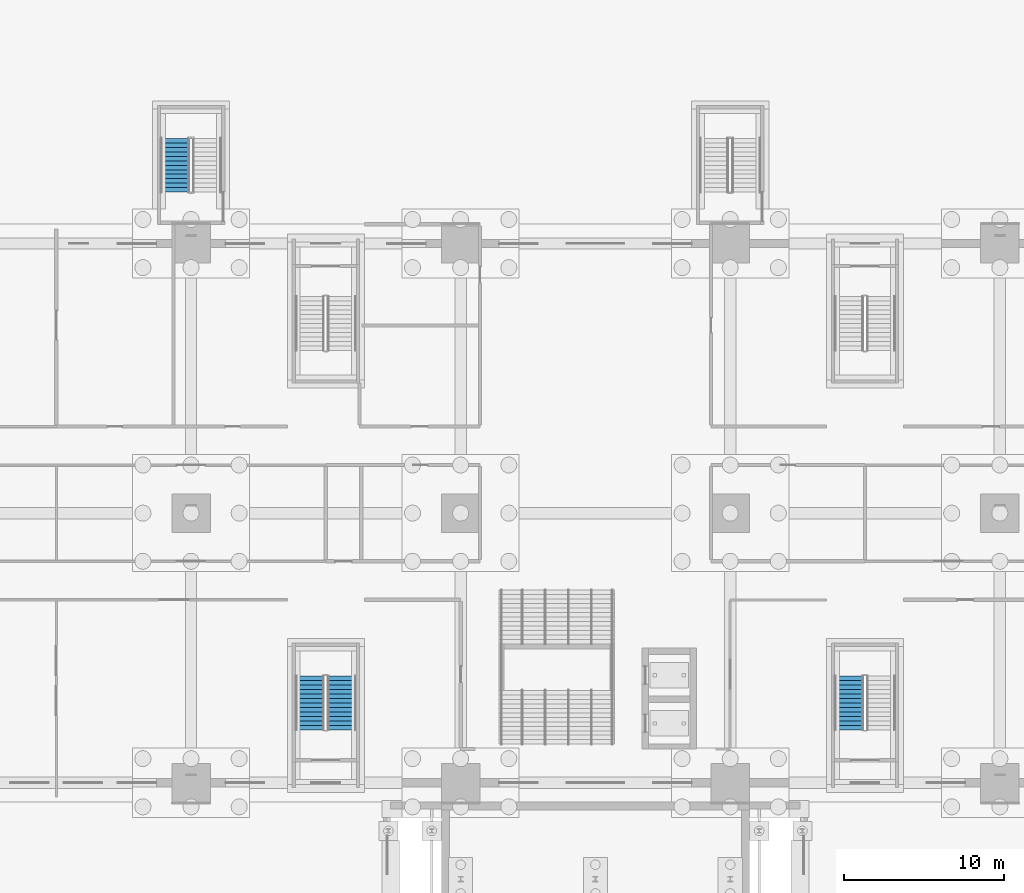
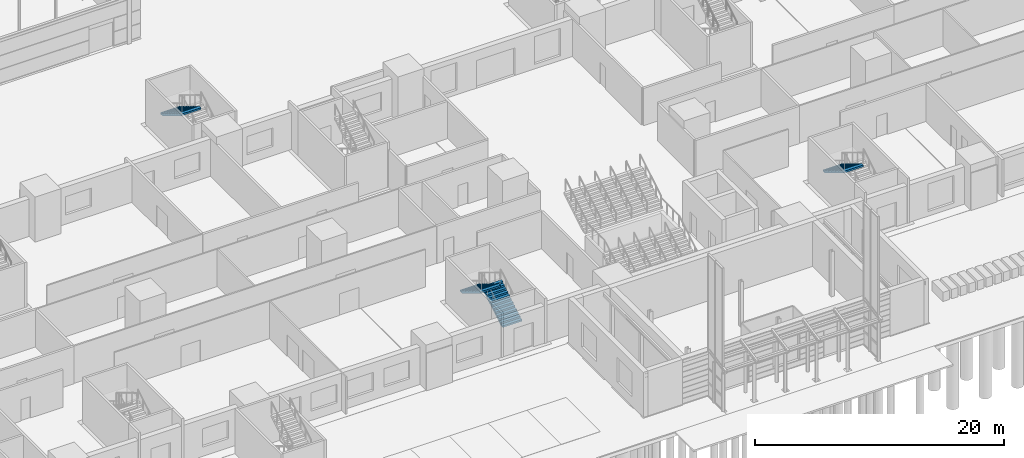
# One storey, part 108 of 139: 4 stair flights, 3 elements without a shape of their own.
"""IFC4 building model written with IfcOpenShell, lengths in metres."""

from ifc_helpers import new_model, si_unit, direction, frame, origin, place, context, subcontext, project, spatial, polygons, material, type_object, element, aggregate, save


model = new_model("IFC4")

# Units and contexts
model_context = context("Model", 3, precision=1e-05, world=origin(), true_north=direction((0.0, 1.0)))
body_context = subcontext(model_context, "Body", "Model", "MODEL_VIEW")
ifc_project = project(units=[si_unit("LENGTHUNIT", "METRE"), si_unit("AREAUNIT", "SQUARE_METRE"), si_unit("VOLUMEUNIT", "CUBIC_METRE"), si_unit("PLANEANGLEUNIT", "RADIAN"), si_unit("MASSUNIT", "GRAM", prefix="KILO")], contexts=[model_context])

# Site, building, storey
site_placement = place(None, origin())
site = spatial("IfcSite", under=ifc_project, at=site_placement, CompositionType="ELEMENT")
building_placement = place(site_placement, origin())
building = spatial("IfcBuilding", under=site, at=building_placement, Name="Verrick Yard Athletic Hall", CompositionType="ELEMENT")
storey_placement = place(building_placement, origin())
storey = spatial("IfcBuildingStorey", under=building, at=storey_placement, Name="L00", CompositionType="ELEMENT", Elevation=0.0)

# Stair, stair flight
ifc_material = material(Name="Concrete 35 MPa", Category="concrete")
stair_type = type_object("IfcStairType", Name="Stair ST3 1800 wide 26 risers", PredefinedType="HALF_TURN_STAIR", material=ifc_material)
stair_1_placement = place(storey_placement, origin())
stair_1 = element("IfcStair", 1, at=stair_1_placement, inside=storey, type_object=stair_type, Name="North deck escape 3 stair L00", PredefinedType="HALF_TURN_STAIR")
stair_flight_type = type_object("IfcStairFlightType", Name="Stair flight SF3 1800 wide 13 risers", PredefinedType="STRAIGHT", material=ifc_material)
stair_flight_1_placement = place(storey_placement, frame((72.60009765625, 59.360107421875, 2.199951171875), z_axis=(0.0, 0.0, 1.0), x_axis=(0.0, -1.0, 0.0)))
stair_flight_1 = element("IfcStairFlight", 2, at=stair_flight_1_placement, type_object=stair_flight_type, Name="ST3 flight 2", NumberOfRisers=13, NumberOfTreads=12, PredefinedType="STRAIGHT", RiserHeight=0.169230769, TreadLength=0.28, context=body_context, shape_type="Tessellation", body=[
    polygons([(0.28980123017674275, -0.89990234375, 0.0), (3.3600000000000003, -0.89990234375, 1.855614638571585), (3.3600000000000003, -0.89990234375, 2.030769228), (3.08, -0.89990234375, 2.030769228), (3.08, -0.89990234375, 1.8615384590000001), (2.8000000000000003, -0.89990234375, 1.8615384590000001), (2.8000000000000003, -0.89990234375, 1.69230769), (2.5200000000000005, -0.89990234375, 1.69230769), (2.5200000000000005, -0.89990234375, 1.523076921), (2.24, -0.89990234375, 1.523076921), (2.24, -0.89990234375, 1.353846152), (1.9600000000000002, -0.89990234375, 1.353846152), (1.9600000000000002, -0.89990234375, 1.1846153830000001), (1.6800000000000002, -0.89990234375, 1.1846153830000001), (1.6800000000000002, -0.89990234375, 1.015384614), (1.4000000000000001, -0.89990234375, 1.015384614), (1.4000000000000001, -0.89990234375, 0.846153845), (1.12, -0.89990234375, 0.846153845), (1.12, -0.89990234375, 0.676923076), (0.8400000000000001, -0.89990234375, 0.676923076), (0.8400000000000001, -0.89990234375, 0.507692307), (0.56, -0.89990234375, 0.507692307), (0.56, -0.89990234375, 0.338461538), (0.28, -0.89990234375, 0.338461538), (0.28, -0.89990234375, 0.169230769), (0.0, -0.89990234375, 0.169230769), (0.0, -0.89990234375, 0.0), (0.28980123017674275, -0.179931640625, 0.0), (3.3600000000000003, -0.179931640625, 1.855614638571585), (3.3600000000000003, -0.179931640625, 2.030769228), (3.08, -0.179931640625, 2.030769228), (3.08, -0.179931640625, 1.8615384590000001), (2.8000000000000003, -0.179931640625, 1.8615384590000001), (2.8000000000000003, -0.179931640625, 1.69230769), (2.5200000000000005, -0.179931640625, 1.69230769), (2.5200000000000005, -0.179931640625, 1.523076921), (2.24, -0.179931640625, 1.523076921), (2.24, -0.179931640625, 1.353846152), (1.9600000000000002, -0.179931640625, 1.353846152), (1.9600000000000002, -0.179931640625, 1.1846153830000001), (1.6800000000000002, -0.179931640625, 1.1846153830000001), (1.6800000000000002, -0.179931640625, 1.015384614), (1.4000000000000001, -0.179931640625, 1.015384614), (1.4000000000000001, -0.179931640625, 0.846153845), (1.12, -0.179931640625, 0.846153845), (1.12, -0.179931640625, 0.676923076), (0.8400000000000001, -0.179931640625, 0.676923076), (0.8400000000000001, -0.179931640625, 0.507692307), (0.56, -0.179931640625, 0.507692307), (0.56, -0.179931640625, 0.338461538), (0.28, -0.179931640625, 0.338461538), (0.28, -0.179931640625, 0.169230769), (0.0, -0.179931640625, 0.169230769), (0.0, -0.179931640625, 0.0), (0.28980123017674275, 0.179931640625, 0.0), (3.3600000000000003, 0.179931640625, 1.855614638571585), (3.3600000000000003, 0.179931640625, 2.030769228), (3.08, 0.179931640625, 2.030769228), (3.08, 0.179931640625, 1.8615384590000001), (2.8000000000000003, 0.179931640625, 1.8615384590000001), (2.8000000000000003, 0.179931640625, 1.69230769), (2.5200000000000005, 0.179931640625, 1.69230769), (2.5200000000000005, 0.179931640625, 1.523076921), (2.24, 0.179931640625, 1.523076921), (2.24, 0.179931640625, 1.353846152), (1.9600000000000002, 0.179931640625, 1.353846152), (1.9600000000000002, 0.179931640625, 1.1846153830000001), (1.6800000000000002, 0.179931640625, 1.1846153830000001), (1.6800000000000002, 0.179931640625, 1.015384614), (1.4000000000000001, 0.179931640625, 1.015384614), (1.4000000000000001, 0.179931640625, 0.846153845), (1.12, 0.179931640625, 0.846153845), (1.12, 0.179931640625, 0.676923076), (0.8400000000000001, 0.179931640625, 0.676923076), (0.8400000000000001, 0.179931640625, 0.507692307), (0.56, 0.179931640625, 0.507692307), (0.56, 0.179931640625, 0.338461538), (0.28, 0.179931640625, 0.338461538), (0.28, 0.179931640625, 0.169230769), (0.0, 0.179931640625, 0.169230769), (0.0, 0.179931640625, 0.0), (0.28980123017674275, 0.89990234375, 0.0), (3.3600000000000003, 0.89990234375, 1.855614638571585), (3.3600000000000003, 0.89990234375, 2.030769228), (3.08, 0.89990234375, 2.030769228), (3.08, 0.89990234375, 1.8615384590000001), (2.8000000000000003, 0.89990234375, 1.8615384590000001), (2.8000000000000003, 0.89990234375, 1.69230769), (2.5200000000000005, 0.89990234375, 1.69230769), (2.5200000000000005, 0.89990234375, 1.523076921), (2.24, 0.89990234375, 1.523076921), (2.24, 0.89990234375, 1.353846152), (1.9600000000000002, 0.89990234375, 1.353846152), (1.9600000000000002, 0.89990234375, 1.1846153830000001), (1.6800000000000002, 0.89990234375, 1.1846153830000001), (1.6800000000000002, 0.89990234375, 1.015384614), (1.4000000000000001, 0.89990234375, 1.015384614), (1.4000000000000001, 0.89990234375, 0.846153845), (1.12, 0.89990234375, 0.846153845), (1.12, 0.89990234375, 0.676923076), (0.8400000000000001, 0.89990234375, 0.676923076), (0.8400000000000001, 0.89990234375, 0.507692307), (0.56, 0.89990234375, 0.507692307), (0.56, 0.89990234375, 0.338461538), (0.28, 0.89990234375, 0.338461538), (0.28, 0.89990234375, 0.169230769), (0.0, 0.89990234375, 0.169230769), (0.0, 0.89990234375, 0.0)], [[[1, 2, 3, 4, 5, 6, 7, 8, 9, 10, 11, 12, 13, 14, 15, 16, 17, 18, 19, 20, 21, 22, 23, 24, 25, 26, 27]], [[108, 107, 106, 105, 104, 103, 102, 101, 100, 99, 98, 97, 96, 95, 94, 93, 92, 91, 90, 89, 88, 87, 86, 85, 84, 83, 82]], [[1, 28, 29, 2]], [[2, 29, 30, 3]], [[3, 30, 31, 4]], [[4, 31, 32, 5]], [[5, 32, 33, 6]], [[6, 33, 34, 7]], [[7, 34, 35, 8]], [[8, 35, 36, 9]], [[9, 36, 37, 10]], [[10, 37, 38, 11]], [[11, 38, 39, 12]], [[12, 39, 40, 13]], [[13, 40, 41, 14]], [[14, 41, 42, 15]], [[15, 42, 43, 16]], [[16, 43, 44, 17]], [[17, 44, 45, 18]], [[18, 45, 46, 19]], [[19, 46, 47, 20]], [[20, 47, 48, 21]], [[21, 48, 49, 22]], [[22, 49, 50, 23]], [[23, 50, 51, 24]], [[24, 51, 52, 25]], [[25, 52, 53, 26]], [[26, 53, 54, 27]], [[27, 54, 28, 1]], [[28, 55, 56, 29]], [[29, 56, 57, 30]], [[30, 57, 58, 31]], [[31, 58, 59, 32]], [[32, 59, 60, 33]], [[33, 60, 61, 34]], [[34, 61, 62, 35]], [[35, 62, 63, 36]], [[36, 63, 64, 37]], [[37, 64, 65, 38]], [[38, 65, 66, 39]], [[39, 66, 67, 40]], [[40, 67, 68, 41]], [[41, 68, 69, 42]], [[42, 69, 70, 43]], [[43, 70, 71, 44]], [[44, 71, 72, 45]], [[45, 72, 73, 46]], [[46, 73, 74, 47]], [[47, 74, 75, 48]], [[48, 75, 76, 49]], [[49, 76, 77, 50]], [[50, 77, 78, 51]], [[51, 78, 79, 52]], [[52, 79, 80, 53]], [[53, 80, 81, 54]], [[54, 81, 55, 28]], [[55, 82, 83, 56]], [[56, 83, 84, 57]], [[57, 84, 85, 58]], [[58, 85, 86, 59]], [[59, 86, 87, 60]], [[60, 87, 88, 61]], [[61, 88, 89, 62]], [[62, 89, 90, 63]], [[63, 90, 91, 64]], [[64, 91, 92, 65]], [[65, 92, 93, 66]], [[66, 93, 94, 67]], [[67, 94, 95, 68]], [[68, 95, 96, 69]], [[69, 96, 97, 70]], [[70, 97, 98, 71]], [[71, 98, 99, 72]], [[72, 99, 100, 73]], [[73, 100, 101, 74]], [[74, 101, 102, 75]], [[75, 102, 103, 76]], [[76, 103, 104, 77]], [[77, 104, 105, 78]], [[78, 105, 106, 79]], [[79, 106, 107, 80]], [[80, 107, 108, 81]], [[81, 108, 82, 55]]], closed=True),
])
aggregate(stair_1, [stair_flight_1])

# Stair, stair flights
stair_2_placement = place(storey_placement, origin())
stair_2 = element("IfcStair", 3, at=stair_2_placement, inside=storey, type_object=stair_type, Name="South plinth exit 2 stair L00", PredefinedType="HALF_TURN_STAIR")
stair_flight_2_placement = place(storey_placement, frame((83.0, 22.5, 0.0), z_axis=(0.0, 0.0, 1.0), x_axis=(0.0, 1.0, 0.0)))
stair_flight_2 = element("IfcStairFlight", 4, at=stair_flight_2_placement, type_object=stair_flight_type, Name="ST3 flight 1", NumberOfRisers=13, NumberOfTreads=12, PredefinedType="STRAIGHT", RiserHeight=0.169230769, TreadLength=0.28, context=body_context, shape_type="Tessellation", body=[
    polygons([(0.28980123017674275, -0.89990234375, 0.0), (3.3600000000000003, -0.89990234375, 1.855614638571585), (3.3600000000000003, -0.89990234375, 2.030769228), (3.08, -0.89990234375, 2.030769228), (3.08, -0.89990234375, 1.8615384590000001), (2.8000000000000003, -0.89990234375, 1.8615384590000001), (2.8000000000000003, -0.89990234375, 1.69230769), (2.5200000000000005, -0.89990234375, 1.69230769), (2.5200000000000005, -0.89990234375, 1.523076921), (2.24, -0.89990234375, 1.523076921), (2.24, -0.89990234375, 1.353846152), (1.9600000000000002, -0.89990234375, 1.353846152), (1.9600000000000002, -0.89990234375, 1.1846153830000001), (1.6800000000000002, -0.89990234375, 1.1846153830000001), (1.6800000000000002, -0.89990234375, 1.015384614), (1.4000000000000001, -0.89990234375, 1.015384614), (1.4000000000000001, -0.89990234375, 0.846153845), (1.12, -0.89990234375, 0.846153845), (1.12, -0.89990234375, 0.676923076), (0.8400000000000001, -0.89990234375, 0.676923076), (0.8400000000000001, -0.89990234375, 0.507692307), (0.56, -0.89990234375, 0.507692307), (0.56, -0.89990234375, 0.338461538), (0.28, -0.89990234375, 0.338461538), (0.28, -0.89990234375, 0.169230769), (0.0, -0.89990234375, 0.169230769), (0.0, -0.89990234375, 0.0), (0.28980123017674275, -0.179931640625, 0.0), (3.3600000000000003, -0.179931640625, 1.855614638571585), (3.3600000000000003, -0.179931640625, 2.030769228), (3.08, -0.179931640625, 2.030769228), (3.08, -0.179931640625, 1.8615384590000001), (2.8000000000000003, -0.179931640625, 1.8615384590000001), (2.8000000000000003, -0.179931640625, 1.69230769), (2.5200000000000005, -0.179931640625, 1.69230769), (2.5200000000000005, -0.179931640625, 1.523076921), (2.24, -0.179931640625, 1.523076921), (2.24, -0.179931640625, 1.353846152), (1.9600000000000002, -0.179931640625, 1.353846152), (1.9600000000000002, -0.179931640625, 1.1846153830000001), (1.6800000000000002, -0.179931640625, 1.1846153830000001), (1.6800000000000002, -0.179931640625, 1.015384614), (1.4000000000000001, -0.179931640625, 1.015384614), (1.4000000000000001, -0.179931640625, 0.846153845), (1.12, -0.179931640625, 0.846153845), (1.12, -0.179931640625, 0.676923076), (0.8400000000000001, -0.179931640625, 0.676923076), (0.8400000000000001, -0.179931640625, 0.507692307), (0.56, -0.179931640625, 0.507692307), (0.56, -0.179931640625, 0.338461538), (0.28, -0.179931640625, 0.338461538), (0.28, -0.179931640625, 0.169230769), (0.0, -0.179931640625, 0.169230769), (0.0, -0.179931640625, 0.0), (0.28980123017674275, 0.179931640625, 0.0), (3.3600000000000003, 0.179931640625, 1.855614638571585), (3.3600000000000003, 0.179931640625, 2.030769228), (3.08, 0.179931640625, 2.030769228), (3.08, 0.179931640625, 1.8615384590000001), (2.8000000000000003, 0.179931640625, 1.8615384590000001), (2.8000000000000003, 0.179931640625, 1.69230769), (2.5200000000000005, 0.179931640625, 1.69230769), (2.5200000000000005, 0.179931640625, 1.523076921), (2.24, 0.179931640625, 1.523076921), (2.24, 0.179931640625, 1.353846152), (1.9600000000000002, 0.179931640625, 1.353846152), (1.9600000000000002, 0.179931640625, 1.1846153830000001), (1.6800000000000002, 0.179931640625, 1.1846153830000001), (1.6800000000000002, 0.179931640625, 1.015384614), (1.4000000000000001, 0.179931640625, 1.015384614), (1.4000000000000001, 0.179931640625, 0.846153845), (1.12, 0.179931640625, 0.846153845), (1.12, 0.179931640625, 0.676923076), (0.8400000000000001, 0.179931640625, 0.676923076), (0.8400000000000001, 0.179931640625, 0.507692307), (0.56, 0.179931640625, 0.507692307), (0.56, 0.179931640625, 0.338461538), (0.28, 0.179931640625, 0.338461538), (0.28, 0.179931640625, 0.169230769), (0.0, 0.179931640625, 0.169230769), (0.0, 0.179931640625, 0.0), (0.28980123017674275, 0.89990234375, 0.0), (3.3600000000000003, 0.89990234375, 1.855614638571585), (3.3600000000000003, 0.89990234375, 2.030769228), (3.08, 0.89990234375, 2.030769228), (3.08, 0.89990234375, 1.8615384590000001), (2.8000000000000003, 0.89990234375, 1.8615384590000001), (2.8000000000000003, 0.89990234375, 1.69230769), (2.5200000000000005, 0.89990234375, 1.69230769), (2.5200000000000005, 0.89990234375, 1.523076921), (2.24, 0.89990234375, 1.523076921), (2.24, 0.89990234375, 1.353846152), (1.9600000000000002, 0.89990234375, 1.353846152), (1.9600000000000002, 0.89990234375, 1.1846153830000001), (1.6800000000000002, 0.89990234375, 1.1846153830000001), (1.6800000000000002, 0.89990234375, 1.015384614), (1.4000000000000001, 0.89990234375, 1.015384614), (1.4000000000000001, 0.89990234375, 0.846153845), (1.12, 0.89990234375, 0.846153845), (1.12, 0.89990234375, 0.676923076), (0.8400000000000001, 0.89990234375, 0.676923076), (0.8400000000000001, 0.89990234375, 0.507692307), (0.56, 0.89990234375, 0.507692307), (0.56, 0.89990234375, 0.338461538), (0.28, 0.89990234375, 0.338461538), (0.28, 0.89990234375, 0.169230769), (0.0, 0.89990234375, 0.169230769), (0.0, 0.89990234375, 0.0)], [[[1, 2, 3, 4, 5, 6, 7, 8, 9, 10, 11, 12, 13, 14, 15, 16, 17, 18, 19, 20, 21, 22, 23, 24, 25, 26, 27]], [[108, 107, 106, 105, 104, 103, 102, 101, 100, 99, 98, 97, 96, 95, 94, 93, 92, 91, 90, 89, 88, 87, 86, 85, 84, 83, 82]], [[1, 28, 29, 2]], [[2, 29, 30, 3]], [[3, 30, 31, 4]], [[4, 31, 32, 5]], [[5, 32, 33, 6]], [[6, 33, 34, 7]], [[7, 34, 35, 8]], [[8, 35, 36, 9]], [[9, 36, 37, 10]], [[10, 37, 38, 11]], [[11, 38, 39, 12]], [[12, 39, 40, 13]], [[13, 40, 41, 14]], [[14, 41, 42, 15]], [[15, 42, 43, 16]], [[16, 43, 44, 17]], [[17, 44, 45, 18]], [[18, 45, 46, 19]], [[19, 46, 47, 20]], [[20, 47, 48, 21]], [[21, 48, 49, 22]], [[22, 49, 50, 23]], [[23, 50, 51, 24]], [[24, 51, 52, 25]], [[25, 52, 53, 26]], [[26, 53, 54, 27]], [[27, 54, 28, 1]], [[28, 55, 56, 29]], [[29, 56, 57, 30]], [[30, 57, 58, 31]], [[31, 58, 59, 32]], [[32, 59, 60, 33]], [[33, 60, 61, 34]], [[34, 61, 62, 35]], [[35, 62, 63, 36]], [[36, 63, 64, 37]], [[37, 64, 65, 38]], [[38, 65, 66, 39]], [[39, 66, 67, 40]], [[40, 67, 68, 41]], [[41, 68, 69, 42]], [[42, 69, 70, 43]], [[43, 70, 71, 44]], [[44, 71, 72, 45]], [[45, 72, 73, 46]], [[46, 73, 74, 47]], [[47, 74, 75, 48]], [[48, 75, 76, 49]], [[49, 76, 77, 50]], [[50, 77, 78, 51]], [[51, 78, 79, 52]], [[52, 79, 80, 53]], [[53, 80, 81, 54]], [[54, 81, 55, 28]], [[55, 82, 83, 56]], [[56, 83, 84, 57]], [[57, 84, 85, 58]], [[58, 85, 86, 59]], [[59, 86, 87, 60]], [[60, 87, 88, 61]], [[61, 88, 89, 62]], [[62, 89, 90, 63]], [[63, 90, 91, 64]], [[64, 91, 92, 65]], [[65, 92, 93, 66]], [[66, 93, 94, 67]], [[67, 94, 95, 68]], [[68, 95, 96, 69]], [[69, 96, 97, 70]], [[70, 97, 98, 71]], [[71, 98, 99, 72]], [[72, 99, 100, 73]], [[73, 100, 101, 74]], [[74, 101, 102, 75]], [[75, 102, 103, 76]], [[76, 103, 104, 77]], [[77, 104, 105, 78]], [[78, 105, 106, 79]], [[79, 106, 107, 80]], [[80, 107, 108, 81]], [[81, 108, 82, 55]]], closed=True),
])
stair_flight_3_placement = place(storey_placement, frame((81.0, 25.860107421875, 2.199951171875), z_axis=(0.0, 0.0, 1.0), x_axis=(0.0, -1.0, 0.0)))
stair_flight_3 = element("IfcStairFlight", 5, at=stair_flight_3_placement, type_object=stair_flight_type, Name="ST3 flight 2", NumberOfRisers=13, NumberOfTreads=12, PredefinedType="STRAIGHT", RiserHeight=0.169230769, TreadLength=0.28, context=body_context, shape_type="Tessellation", body=[
    polygons([(0.28980123017674275, -0.89990234375, 0.0), (3.3600000000000003, -0.89990234375, 1.855614638571585), (3.3600000000000003, -0.89990234375, 2.030769228), (3.08, -0.89990234375, 2.030769228), (3.08, -0.89990234375, 1.8615384590000001), (2.8000000000000003, -0.89990234375, 1.8615384590000001), (2.8000000000000003, -0.89990234375, 1.69230769), (2.5200000000000005, -0.89990234375, 1.69230769), (2.5200000000000005, -0.89990234375, 1.523076921), (2.24, -0.89990234375, 1.523076921), (2.24, -0.89990234375, 1.353846152), (1.9600000000000002, -0.89990234375, 1.353846152), (1.9600000000000002, -0.89990234375, 1.1846153830000001), (1.6800000000000002, -0.89990234375, 1.1846153830000001), (1.6800000000000002, -0.89990234375, 1.015384614), (1.4000000000000001, -0.89990234375, 1.015384614), (1.4000000000000001, -0.89990234375, 0.846153845), (1.12, -0.89990234375, 0.846153845), (1.12, -0.89990234375, 0.676923076), (0.8400000000000001, -0.89990234375, 0.676923076), (0.8400000000000001, -0.89990234375, 0.507692307), (0.56, -0.89990234375, 0.507692307), (0.56, -0.89990234375, 0.338461538), (0.28, -0.89990234375, 0.338461538), (0.28, -0.89990234375, 0.169230769), (0.0, -0.89990234375, 0.169230769), (0.0, -0.89990234375, 0.0), (0.28980123017674275, -0.179931640625, 0.0), (3.3600000000000003, -0.179931640625, 1.855614638571585), (3.3600000000000003, -0.179931640625, 2.030769228), (3.08, -0.179931640625, 2.030769228), (3.08, -0.179931640625, 1.8615384590000001), (2.8000000000000003, -0.179931640625, 1.8615384590000001), (2.8000000000000003, -0.179931640625, 1.69230769), (2.5200000000000005, -0.179931640625, 1.69230769), (2.5200000000000005, -0.179931640625, 1.523076921), (2.24, -0.179931640625, 1.523076921), (2.24, -0.179931640625, 1.353846152), (1.9600000000000002, -0.179931640625, 1.353846152), (1.9600000000000002, -0.179931640625, 1.1846153830000001), (1.6800000000000002, -0.179931640625, 1.1846153830000001), (1.6800000000000002, -0.179931640625, 1.015384614), (1.4000000000000001, -0.179931640625, 1.015384614), (1.4000000000000001, -0.179931640625, 0.846153845), (1.12, -0.179931640625, 0.846153845), (1.12, -0.179931640625, 0.676923076), (0.8400000000000001, -0.179931640625, 0.676923076), (0.8400000000000001, -0.179931640625, 0.507692307), (0.56, -0.179931640625, 0.507692307), (0.56, -0.179931640625, 0.338461538), (0.28, -0.179931640625, 0.338461538), (0.28, -0.179931640625, 0.169230769), (0.0, -0.179931640625, 0.169230769), (0.0, -0.179931640625, 0.0), (0.28980123017674275, 0.179931640625, 0.0), (3.3600000000000003, 0.179931640625, 1.855614638571585), (3.3600000000000003, 0.179931640625, 2.030769228), (3.08, 0.179931640625, 2.030769228), (3.08, 0.179931640625, 1.8615384590000001), (2.8000000000000003, 0.179931640625, 1.8615384590000001), (2.8000000000000003, 0.179931640625, 1.69230769), (2.5200000000000005, 0.179931640625, 1.69230769), (2.5200000000000005, 0.179931640625, 1.523076921), (2.24, 0.179931640625, 1.523076921), (2.24, 0.179931640625, 1.353846152), (1.9600000000000002, 0.179931640625, 1.353846152), (1.9600000000000002, 0.179931640625, 1.1846153830000001), (1.6800000000000002, 0.179931640625, 1.1846153830000001), (1.6800000000000002, 0.179931640625, 1.015384614), (1.4000000000000001, 0.179931640625, 1.015384614), (1.4000000000000001, 0.179931640625, 0.846153845), (1.12, 0.179931640625, 0.846153845), (1.12, 0.179931640625, 0.676923076), (0.8400000000000001, 0.179931640625, 0.676923076), (0.8400000000000001, 0.179931640625, 0.507692307), (0.56, 0.179931640625, 0.507692307), (0.56, 0.179931640625, 0.338461538), (0.28, 0.179931640625, 0.338461538), (0.28, 0.179931640625, 0.169230769), (0.0, 0.179931640625, 0.169230769), (0.0, 0.179931640625, 0.0), (0.28980123017674275, 0.89990234375, 0.0), (3.3600000000000003, 0.89990234375, 1.855614638571585), (3.3600000000000003, 0.89990234375, 2.030769228), (3.08, 0.89990234375, 2.030769228), (3.08, 0.89990234375, 1.8615384590000001), (2.8000000000000003, 0.89990234375, 1.8615384590000001), (2.8000000000000003, 0.89990234375, 1.69230769), (2.5200000000000005, 0.89990234375, 1.69230769), (2.5200000000000005, 0.89990234375, 1.523076921), (2.24, 0.89990234375, 1.523076921), (2.24, 0.89990234375, 1.353846152), (1.9600000000000002, 0.89990234375, 1.353846152), (1.9600000000000002, 0.89990234375, 1.1846153830000001), (1.6800000000000002, 0.89990234375, 1.1846153830000001), (1.6800000000000002, 0.89990234375, 1.015384614), (1.4000000000000001, 0.89990234375, 1.015384614), (1.4000000000000001, 0.89990234375, 0.846153845), (1.12, 0.89990234375, 0.846153845), (1.12, 0.89990234375, 0.676923076), (0.8400000000000001, 0.89990234375, 0.676923076), (0.8400000000000001, 0.89990234375, 0.507692307), (0.56, 0.89990234375, 0.507692307), (0.56, 0.89990234375, 0.338461538), (0.28, 0.89990234375, 0.338461538), (0.28, 0.89990234375, 0.169230769), (0.0, 0.89990234375, 0.169230769), (0.0, 0.89990234375, 0.0)], [[[1, 2, 3, 4, 5, 6, 7, 8, 9, 10, 11, 12, 13, 14, 15, 16, 17, 18, 19, 20, 21, 22, 23, 24, 25, 26, 27]], [[108, 107, 106, 105, 104, 103, 102, 101, 100, 99, 98, 97, 96, 95, 94, 93, 92, 91, 90, 89, 88, 87, 86, 85, 84, 83, 82]], [[1, 28, 29, 2]], [[2, 29, 30, 3]], [[3, 30, 31, 4]], [[4, 31, 32, 5]], [[5, 32, 33, 6]], [[6, 33, 34, 7]], [[7, 34, 35, 8]], [[8, 35, 36, 9]], [[9, 36, 37, 10]], [[10, 37, 38, 11]], [[11, 38, 39, 12]], [[12, 39, 40, 13]], [[13, 40, 41, 14]], [[14, 41, 42, 15]], [[15, 42, 43, 16]], [[16, 43, 44, 17]], [[17, 44, 45, 18]], [[18, 45, 46, 19]], [[19, 46, 47, 20]], [[20, 47, 48, 21]], [[21, 48, 49, 22]], [[22, 49, 50, 23]], [[23, 50, 51, 24]], [[24, 51, 52, 25]], [[25, 52, 53, 26]], [[26, 53, 54, 27]], [[27, 54, 28, 1]], [[28, 55, 56, 29]], [[29, 56, 57, 30]], [[30, 57, 58, 31]], [[31, 58, 59, 32]], [[32, 59, 60, 33]], [[33, 60, 61, 34]], [[34, 61, 62, 35]], [[35, 62, 63, 36]], [[36, 63, 64, 37]], [[37, 64, 65, 38]], [[38, 65, 66, 39]], [[39, 66, 67, 40]], [[40, 67, 68, 41]], [[41, 68, 69, 42]], [[42, 69, 70, 43]], [[43, 70, 71, 44]], [[44, 71, 72, 45]], [[45, 72, 73, 46]], [[46, 73, 74, 47]], [[47, 74, 75, 48]], [[48, 75, 76, 49]], [[49, 76, 77, 50]], [[50, 77, 78, 51]], [[51, 78, 79, 52]], [[52, 79, 80, 53]], [[53, 80, 81, 54]], [[54, 81, 55, 28]], [[55, 82, 83, 56]], [[56, 83, 84, 57]], [[57, 84, 85, 58]], [[58, 85, 86, 59]], [[59, 86, 87, 60]], [[60, 87, 88, 61]], [[61, 88, 89, 62]], [[62, 89, 90, 63]], [[63, 90, 91, 64]], [[64, 91, 92, 65]], [[65, 92, 93, 66]], [[66, 93, 94, 67]], [[67, 94, 95, 68]], [[68, 95, 96, 69]], [[69, 96, 97, 70]], [[70, 97, 98, 71]], [[71, 98, 99, 72]], [[72, 99, 100, 73]], [[73, 100, 101, 74]], [[74, 101, 102, 75]], [[75, 102, 103, 76]], [[76, 103, 104, 77]], [[77, 104, 105, 78]], [[78, 105, 106, 79]], [[79, 106, 107, 80]], [[80, 107, 108, 81]], [[81, 108, 82, 55]]], closed=True),
])
aggregate(stair_2, [stair_flight_2, stair_flight_3])

# Stair, stair flight
stair_3_placement = place(storey_placement, origin())
stair_3 = element("IfcStair", 6, at=stair_3_placement, inside=storey, type_object=stair_type, Name="South plinth exit 3 stair L00", PredefinedType="HALF_TURN_STAIR")
stair_flight_4_placement = place(storey_placement, frame((114.60009765625, 25.860107421875, 2.199951171875), z_axis=(0.0, 0.0, 1.0), x_axis=(0.0, -1.0, 0.0)))
stair_flight_4 = element("IfcStairFlight", 7, at=stair_flight_4_placement, type_object=stair_flight_type, Name="ST3 flight 2", NumberOfRisers=13, NumberOfTreads=12, PredefinedType="STRAIGHT", RiserHeight=0.169230769, TreadLength=0.28, context=body_context, shape_type="Tessellation", body=[
    polygons([(0.28980123017674275, -0.89990234375, 0.0), (3.3600000000000003, -0.89990234375, 1.855614638571585), (3.3600000000000003, -0.89990234375, 2.030769228), (3.08, -0.89990234375, 2.030769228), (3.08, -0.89990234375, 1.8615384590000001), (2.8000000000000003, -0.89990234375, 1.8615384590000001), (2.8000000000000003, -0.89990234375, 1.69230769), (2.5200000000000005, -0.89990234375, 1.69230769), (2.5200000000000005, -0.89990234375, 1.523076921), (2.24, -0.89990234375, 1.523076921), (2.24, -0.89990234375, 1.353846152), (1.9600000000000002, -0.89990234375, 1.353846152), (1.9600000000000002, -0.89990234375, 1.1846153830000001), (1.6800000000000002, -0.89990234375, 1.1846153830000001), (1.6800000000000002, -0.89990234375, 1.015384614), (1.4000000000000001, -0.89990234375, 1.015384614), (1.4000000000000001, -0.89990234375, 0.846153845), (1.12, -0.89990234375, 0.846153845), (1.12, -0.89990234375, 0.676923076), (0.8400000000000001, -0.89990234375, 0.676923076), (0.8400000000000001, -0.89990234375, 0.507692307), (0.56, -0.89990234375, 0.507692307), (0.56, -0.89990234375, 0.338461538), (0.28, -0.89990234375, 0.338461538), (0.28, -0.89990234375, 0.169230769), (0.0, -0.89990234375, 0.169230769), (0.0, -0.89990234375, 0.0), (0.28980123017674275, -0.179931640625, 0.0), (3.3600000000000003, -0.179931640625, 1.855614638571585), (3.3600000000000003, -0.179931640625, 2.030769228), (3.08, -0.179931640625, 2.030769228), (3.08, -0.179931640625, 1.8615384590000001), (2.8000000000000003, -0.179931640625, 1.8615384590000001), (2.8000000000000003, -0.179931640625, 1.69230769), (2.5200000000000005, -0.179931640625, 1.69230769), (2.5200000000000005, -0.179931640625, 1.523076921), (2.24, -0.179931640625, 1.523076921), (2.24, -0.179931640625, 1.353846152), (1.9600000000000002, -0.179931640625, 1.353846152), (1.9600000000000002, -0.179931640625, 1.1846153830000001), (1.6800000000000002, -0.179931640625, 1.1846153830000001), (1.6800000000000002, -0.179931640625, 1.015384614), (1.4000000000000001, -0.179931640625, 1.015384614), (1.4000000000000001, -0.179931640625, 0.846153845), (1.12, -0.179931640625, 0.846153845), (1.12, -0.179931640625, 0.676923076), (0.8400000000000001, -0.179931640625, 0.676923076), (0.8400000000000001, -0.179931640625, 0.507692307), (0.56, -0.179931640625, 0.507692307), (0.56, -0.179931640625, 0.338461538), (0.28, -0.179931640625, 0.338461538), (0.28, -0.179931640625, 0.169230769), (0.0, -0.179931640625, 0.169230769), (0.0, -0.179931640625, 0.0), (0.28980123017674275, 0.179931640625, 0.0), (3.3600000000000003, 0.179931640625, 1.855614638571585), (3.3600000000000003, 0.179931640625, 2.030769228), (3.08, 0.179931640625, 2.030769228), (3.08, 0.179931640625, 1.8615384590000001), (2.8000000000000003, 0.179931640625, 1.8615384590000001), (2.8000000000000003, 0.179931640625, 1.69230769), (2.5200000000000005, 0.179931640625, 1.69230769), (2.5200000000000005, 0.179931640625, 1.523076921), (2.24, 0.179931640625, 1.523076921), (2.24, 0.179931640625, 1.353846152), (1.9600000000000002, 0.179931640625, 1.353846152), (1.9600000000000002, 0.179931640625, 1.1846153830000001), (1.6800000000000002, 0.179931640625, 1.1846153830000001), (1.6800000000000002, 0.179931640625, 1.015384614), (1.4000000000000001, 0.179931640625, 1.015384614), (1.4000000000000001, 0.179931640625, 0.846153845), (1.12, 0.179931640625, 0.846153845), (1.12, 0.179931640625, 0.676923076), (0.8400000000000001, 0.179931640625, 0.676923076), (0.8400000000000001, 0.179931640625, 0.507692307), (0.56, 0.179931640625, 0.507692307), (0.56, 0.179931640625, 0.338461538), (0.28, 0.179931640625, 0.338461538), (0.28, 0.179931640625, 0.169230769), (0.0, 0.179931640625, 0.169230769), (0.0, 0.179931640625, 0.0), (0.28980123017674275, 0.89990234375, 0.0), (3.3600000000000003, 0.89990234375, 1.855614638571585), (3.3600000000000003, 0.89990234375, 2.030769228), (3.08, 0.89990234375, 2.030769228), (3.08, 0.89990234375, 1.8615384590000001), (2.8000000000000003, 0.89990234375, 1.8615384590000001), (2.8000000000000003, 0.89990234375, 1.69230769), (2.5200000000000005, 0.89990234375, 1.69230769), (2.5200000000000005, 0.89990234375, 1.523076921), (2.24, 0.89990234375, 1.523076921), (2.24, 0.89990234375, 1.353846152), (1.9600000000000002, 0.89990234375, 1.353846152), (1.9600000000000002, 0.89990234375, 1.1846153830000001), (1.6800000000000002, 0.89990234375, 1.1846153830000001), (1.6800000000000002, 0.89990234375, 1.015384614), (1.4000000000000001, 0.89990234375, 1.015384614), (1.4000000000000001, 0.89990234375, 0.846153845), (1.12, 0.89990234375, 0.846153845), (1.12, 0.89990234375, 0.676923076), (0.8400000000000001, 0.89990234375, 0.676923076), (0.8400000000000001, 0.89990234375, 0.507692307), (0.56, 0.89990234375, 0.507692307), (0.56, 0.89990234375, 0.338461538), (0.28, 0.89990234375, 0.338461538), (0.28, 0.89990234375, 0.169230769), (0.0, 0.89990234375, 0.169230769), (0.0, 0.89990234375, 0.0)], [[[1, 2, 3, 4, 5, 6, 7, 8, 9, 10, 11, 12, 13, 14, 15, 16, 17, 18, 19, 20, 21, 22, 23, 24, 25, 26, 27]], [[108, 107, 106, 105, 104, 103, 102, 101, 100, 99, 98, 97, 96, 95, 94, 93, 92, 91, 90, 89, 88, 87, 86, 85, 84, 83, 82]], [[1, 28, 29, 2]], [[2, 29, 30, 3]], [[3, 30, 31, 4]], [[4, 31, 32, 5]], [[5, 32, 33, 6]], [[6, 33, 34, 7]], [[7, 34, 35, 8]], [[8, 35, 36, 9]], [[9, 36, 37, 10]], [[10, 37, 38, 11]], [[11, 38, 39, 12]], [[12, 39, 40, 13]], [[13, 40, 41, 14]], [[14, 41, 42, 15]], [[15, 42, 43, 16]], [[16, 43, 44, 17]], [[17, 44, 45, 18]], [[18, 45, 46, 19]], [[19, 46, 47, 20]], [[20, 47, 48, 21]], [[21, 48, 49, 22]], [[22, 49, 50, 23]], [[23, 50, 51, 24]], [[24, 51, 52, 25]], [[25, 52, 53, 26]], [[26, 53, 54, 27]], [[27, 54, 28, 1]], [[28, 55, 56, 29]], [[29, 56, 57, 30]], [[30, 57, 58, 31]], [[31, 58, 59, 32]], [[32, 59, 60, 33]], [[33, 60, 61, 34]], [[34, 61, 62, 35]], [[35, 62, 63, 36]], [[36, 63, 64, 37]], [[37, 64, 65, 38]], [[38, 65, 66, 39]], [[39, 66, 67, 40]], [[40, 67, 68, 41]], [[41, 68, 69, 42]], [[42, 69, 70, 43]], [[43, 70, 71, 44]], [[44, 71, 72, 45]], [[45, 72, 73, 46]], [[46, 73, 74, 47]], [[47, 74, 75, 48]], [[48, 75, 76, 49]], [[49, 76, 77, 50]], [[50, 77, 78, 51]], [[51, 78, 79, 52]], [[52, 79, 80, 53]], [[53, 80, 81, 54]], [[54, 81, 55, 28]], [[55, 82, 83, 56]], [[56, 83, 84, 57]], [[57, 84, 85, 58]], [[58, 85, 86, 59]], [[59, 86, 87, 60]], [[60, 87, 88, 61]], [[61, 88, 89, 62]], [[62, 89, 90, 63]], [[63, 90, 91, 64]], [[64, 91, 92, 65]], [[65, 92, 93, 66]], [[66, 93, 94, 67]], [[67, 94, 95, 68]], [[68, 95, 96, 69]], [[69, 96, 97, 70]], [[70, 97, 98, 71]], [[71, 98, 99, 72]], [[72, 99, 100, 73]], [[73, 100, 101, 74]], [[74, 101, 102, 75]], [[75, 102, 103, 76]], [[76, 103, 104, 77]], [[77, 104, 105, 78]], [[78, 105, 106, 79]], [[79, 106, 107, 80]], [[80, 107, 108, 81]], [[81, 108, 82, 55]]], closed=True),
])
aggregate(stair_3, [stair_flight_4])

save(model, "model.ifc")
